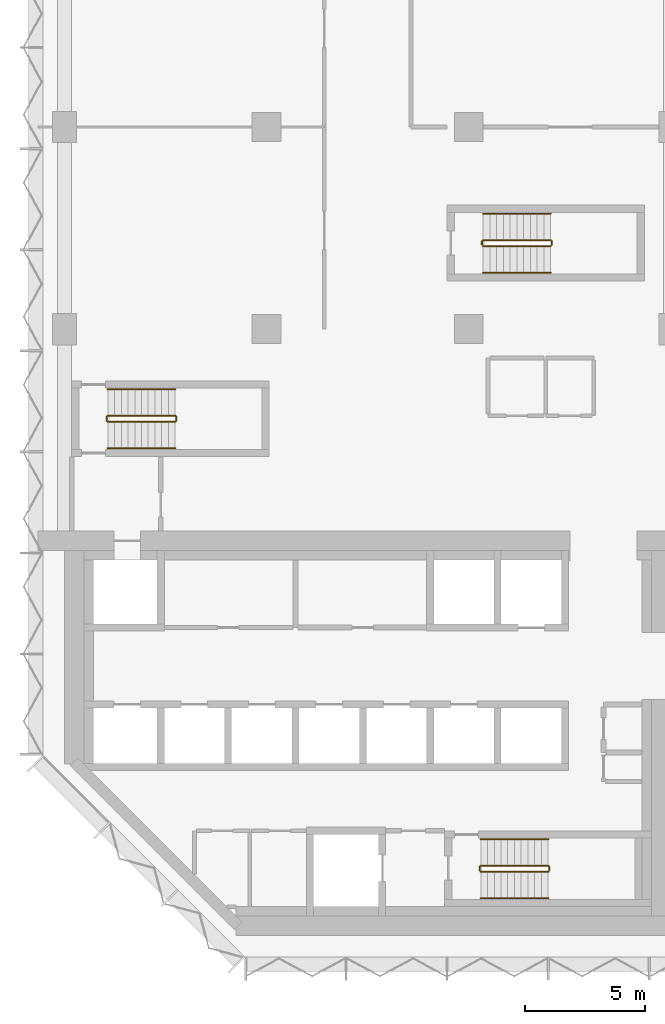
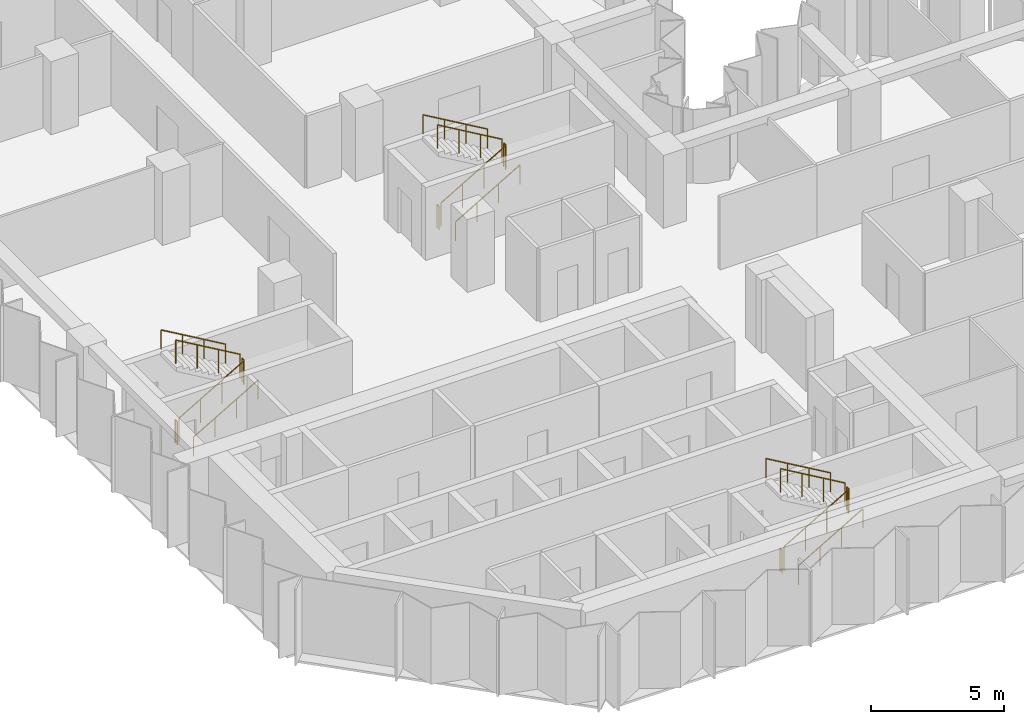
# One storey, part 12 of 13: 18 railings.
"""IFC4 building model written with IfcOpenShell, lengths in metres."""

from ifc_helpers import new_model, si_unit, direction, frame, origin, origin_2d, place, context, subcontext, project, spatial, circle, extrude, material, type_object, element, save


model = new_model("IFC4")

# Units and contexts
model_context = context("Model", 3, precision=1e-05, world=origin(), true_north=direction((0.0, 1.0)))
body_context = subcontext(model_context, "Body", "Model", "MODEL_VIEW")
ifc_project = project(units=[si_unit("LENGTHUNIT", "METRE"), si_unit("AREAUNIT", "SQUARE_METRE"), si_unit("VOLUMEUNIT", "CUBIC_METRE"), si_unit("PLANEANGLEUNIT", "RADIAN"), si_unit("MASSUNIT", "GRAM", prefix="KILO")], contexts=[model_context])

# Site, building, storey
site_placement = place(None, origin())
site = spatial("IfcSite", under=ifc_project, at=site_placement, CompositionType="ELEMENT")
building_placement = place(site_placement, origin())
building = spatial("IfcBuilding", under=site, at=building_placement, Name="Brevane Broadcast Tower", CompositionType="ELEMENT")
storey_placement = place(building_placement, frame((0.0, 0.0, 102.5)))
storey = spatial("IfcBuildingStorey", under=building, at=storey_placement, Name="L24", CompositionType="ELEMENT", Elevation=102.5)

# Railings
ifc_material = material(Name="Steel S355", Category="steel")
railing_type_1 = type_object("IfcRailingType", Name="Exit stair guard", PredefinedType="GUARDRAIL", material=ifc_material)
railing_1_placement = place(storey_placement, frame((1.800048828125, 21.35009765625, 0.16357421875)))
element("IfcRailing", 1, at=railing_1_placement, inside=storey, type_object=railing_type_1, Name="L24 ST-1 stair guard 1", PredefinedType="GUARDRAIL", context=body_context, shape_type="SweptSolid", body=[
    extrude(circle(Radius=0.02392578125, at=origin_2d()), frame((0.0, 0.0, 1.076171875), z_axis=(0.863360870873, 0.0, 0.504586966384), x_axis=(0.0, 1.0, 0.0)), (0.0, 0.0, 1.0), 3.2431640625),
    extrude(circle(Radius=0.02099609375, at=origin_2d()), origin(), (0.0, 0.0, 1.0), 1.052001953125),
    extrude(circle(Radius=0.02099609375, at=origin_2d()), frame((0.933349609375, 0.0, 0.54541015625)), (0.0, 0.0, 1.0), 1.052001953125),
    extrude(circle(Radius=0.02099609375, at=origin_2d()), frame((1.86669921875, 0.0, 1.091064453125)), (0.0, 0.0, 1.0), 1.052001953125),
    extrude(circle(Radius=0.02099609375, at=origin_2d()), frame((2.800048828125, 0.0, 1.636474609375)), (0.0, 0.0, 1.0), 1.052001953125),
])
railing_2_placement = place(storey_placement, frame((4.64990234375, 21.39990234375, 1.800048828125)))
element("IfcRailing", 2, at=railing_2_placement, inside=storey, type_object=railing_type_1, Name="L24 ST-1 stair guard 2", PredefinedType="GUARDRAIL", context=body_context, shape_type="SweptSolid", body=[
    extrude(circle(Radius=0.02392578125, at=origin_2d()), frame((0.0, 0.0, 1.076171875), z_axis=(0.0, 1.0, 0.0), x_axis=(-1.0, 0.0, 0.0)), (0.0, 0.0, 1.0), 0.150146484375),
    extrude(circle(Radius=0.02099609375, at=origin_2d()), origin(), (0.0, 0.0, 1.0), 1.052001953125),
    extrude(circle(Radius=0.02099609375, at=origin_2d()), frame((0.0, 0.150146484375, 0.0)), (0.0, 0.0, 1.0), 1.052001953125),
])
railing_3_placement = place(storey_placement, frame((4.60009765625, 21.60009765625, 1.963623046875)))
element("IfcRailing", 3, at=railing_3_placement, inside=storey, type_object=railing_type_1, Name="L24 ST-1 stair guard 3", PredefinedType="GUARDRAIL", context=body_context, shape_type="SweptSolid", body=[
    extrude(circle(Radius=0.02392578125, at=origin_2d()), frame((0.0, 0.0, 1.076171875), z_axis=(-0.863360870873, 0.0, 0.504586966384), x_axis=(0.0, -1.0, 0.0)), (0.0, 0.0, 1.0), 3.2431640625),
    extrude(circle(Radius=0.02099609375, at=origin_2d()), origin(), (0.0, 0.0, 1.0), 1.052001953125),
    extrude(circle(Radius=0.02099609375, at=origin_2d()), frame((-0.933349609375, 0.0, 0.54541015625)), (0.0, 0.0, 1.0), 1.052001953125),
    extrude(circle(Radius=0.02099609375, at=origin_2d()), frame((-1.86669921875, 0.0, 1.091064453125)), (0.0, 0.0, 1.0), 1.052001953125),
    extrude(circle(Radius=0.02099609375, at=origin_2d()), frame((-2.800048828125, 0.0, 1.636474609375)), (0.0, 0.0, 1.0), 1.052001953125),
])
railing_4_placement = place(storey_placement, frame((1.75, 21.39990234375, 0.0)))
element("IfcRailing", 4, at=railing_4_placement, inside=storey, type_object=railing_type_1, Name="L24 ST-1 stair guard 4", PredefinedType="GUARDRAIL", context=body_context, shape_type="SweptSolid", body=[
    extrude(circle(Radius=0.02392578125, at=origin_2d()), frame((0.0, 0.0, 1.076171875), z_axis=(0.0, 1.0, 0.0), x_axis=(-1.0, 0.0, 0.0)), (0.0, 0.0, 1.0), 0.150146484375),
    extrude(circle(Radius=0.02099609375, at=origin_2d()), origin(), (0.0, 0.0, 1.0), 1.052001953125),
    extrude(circle(Radius=0.02099609375, at=origin_2d()), frame((0.0, 0.150146484375, 0.0)), (0.0, 0.0, 1.0), 1.052001953125),
])
railing_5_placement = place(storey_placement, frame((17.300048828125, 2.64990234375, 0.16357421875)))
element("IfcRailing", 5, at=railing_5_placement, inside=storey, type_object=railing_type_1, Name="L24 ST-2 stair guard 1", PredefinedType="GUARDRAIL", context=body_context, shape_type="SweptSolid", body=[
    extrude(circle(Radius=0.02392578125, at=origin_2d()), frame((0.0, 0.0, 1.076171875), z_axis=(0.863360870873, 0.0, 0.504586966384), x_axis=(0.0, 1.0, 0.0)), (0.0, 0.0, 1.0), 3.2431640625),
    extrude(circle(Radius=0.02099609375, at=origin_2d()), origin(), (0.0, 0.0, 1.0), 1.052001953125),
    extrude(circle(Radius=0.02099609375, at=origin_2d()), frame((0.933349609375, 0.0, 0.54541015625)), (0.0, 0.0, 1.0), 1.052001953125),
    extrude(circle(Radius=0.02099609375, at=origin_2d()), frame((1.86669921875, 0.0, 1.091064453125)), (0.0, 0.0, 1.0), 1.052001953125),
    extrude(circle(Radius=0.02099609375, at=origin_2d()), frame((2.800048828125, 0.0, 1.636474609375)), (0.0, 0.0, 1.0), 1.052001953125),
])
railing_6_placement = place(storey_placement, frame((20.14990234375, 2.699951171875, 1.800048828125)))
element("IfcRailing", 6, at=railing_6_placement, inside=storey, type_object=railing_type_1, Name="L24 ST-2 stair guard 2", PredefinedType="GUARDRAIL", context=body_context, shape_type="SweptSolid", body=[
    extrude(circle(Radius=0.02392578125, at=origin_2d()), frame((0.0, 0.0, 1.076171875), z_axis=(0.0, 1.0, 0.0), x_axis=(-1.0, 0.0, 0.0)), (0.0, 0.0, 1.0), 0.150146484375),
    extrude(circle(Radius=0.02099609375, at=origin_2d()), origin(), (0.0, 0.0, 1.0), 1.052001953125),
    extrude(circle(Radius=0.02099609375, at=origin_2d()), frame((0.0, 0.150146484375, 0.0)), (0.0, 0.0, 1.0), 1.052001953125),
])
railing_7_placement = place(storey_placement, frame((20.10009765625, 2.89990234375, 1.963623046875)))
element("IfcRailing", 7, at=railing_7_placement, inside=storey, type_object=railing_type_1, Name="L24 ST-2 stair guard 3", PredefinedType="GUARDRAIL", context=body_context, shape_type="SweptSolid", body=[
    extrude(circle(Radius=0.02392578125, at=origin_2d()), frame((0.0, 0.0, 1.076171875), z_axis=(-0.863360870873, 0.0, 0.504586966384), x_axis=(0.0, -1.0, 0.0)), (0.0, 0.0, 1.0), 3.2431640625),
    extrude(circle(Radius=0.02099609375, at=origin_2d()), origin(), (0.0, 0.0, 1.0), 1.052001953125),
    extrude(circle(Radius=0.02099609375, at=origin_2d()), frame((-0.933349609375, 0.0, 0.54541015625)), (0.0, 0.0, 1.0), 1.052001953125),
    extrude(circle(Radius=0.02099609375, at=origin_2d()), frame((-1.86669921875, 0.0, 1.091064453125)), (0.0, 0.0, 1.0), 1.052001953125),
    extrude(circle(Radius=0.02099609375, at=origin_2d()), frame((-2.800048828125, 0.0, 1.636474609375)), (0.0, 0.0, 1.0), 1.052001953125),
])
railing_8_placement = place(storey_placement, frame((17.25, 2.699951171875, 0.0)))
element("IfcRailing", 8, at=railing_8_placement, inside=storey, type_object=railing_type_1, Name="L24 ST-2 stair guard 4", PredefinedType="GUARDRAIL", context=body_context, shape_type="SweptSolid", body=[
    extrude(circle(Radius=0.02392578125, at=origin_2d()), frame((0.0, 0.0, 1.076171875), z_axis=(0.0, 1.0, 0.0), x_axis=(-1.0, 0.0, 0.0)), (0.0, 0.0, 1.0), 0.150146484375),
    extrude(circle(Radius=0.02099609375, at=origin_2d()), origin(), (0.0, 0.0, 1.0), 1.052001953125),
    extrude(circle(Radius=0.02099609375, at=origin_2d()), frame((0.0, 0.150146484375, 0.0)), (0.0, 0.0, 1.0), 1.052001953125),
])
railing_9_placement = place(storey_placement, frame((17.39990234375, 28.64990234375, 0.16357421875)))
element("IfcRailing", 9, at=railing_9_placement, inside=storey, type_object=railing_type_1, Name="L24 ST-3 stair guard 1", PredefinedType="GUARDRAIL", context=body_context, shape_type="SweptSolid", body=[
    extrude(circle(Radius=0.02392578125, at=origin_2d()), frame((0.0, 0.0, 1.076171875), z_axis=(0.863360870873, 0.0, 0.504586966384), x_axis=(0.0, 1.0, 0.0)), (0.0, 0.0, 1.0), 3.2431640625),
    extrude(circle(Radius=0.02099609375, at=origin_2d()), origin(), (0.0, 0.0, 1.0), 1.052001953125),
    extrude(circle(Radius=0.02099609375, at=origin_2d()), frame((0.933349609375, 0.0, 0.54541015625)), (0.0, 0.0, 1.0), 1.052001953125),
    extrude(circle(Radius=0.02099609375, at=origin_2d()), frame((1.86669921875, 0.0, 1.091064453125)), (0.0, 0.0, 1.0), 1.052001953125),
    extrude(circle(Radius=0.02099609375, at=origin_2d()), frame((2.800048828125, 0.0, 1.636474609375)), (0.0, 0.0, 1.0), 1.052001953125),
])
railing_10_placement = place(storey_placement, frame((20.25, 28.699951171875, 1.800048828125)))
element("IfcRailing", 10, at=railing_10_placement, inside=storey, type_object=railing_type_1, Name="L24 ST-3 stair guard 2", PredefinedType="GUARDRAIL", context=body_context, shape_type="SweptSolid", body=[
    extrude(circle(Radius=0.02392578125, at=origin_2d()), frame((0.0, 0.0, 1.076171875), z_axis=(0.0, 1.0, 0.0), x_axis=(-1.0, 0.0, 0.0)), (0.0, 0.0, 1.0), 0.150146484375),
    extrude(circle(Radius=0.02099609375, at=origin_2d()), origin(), (0.0, 0.0, 1.0), 1.052001953125),
    extrude(circle(Radius=0.02099609375, at=origin_2d()), frame((0.0, 0.150146484375, 0.0)), (0.0, 0.0, 1.0), 1.052001953125),
])
railing_11_placement = place(storey_placement, frame((20.199951171875, 28.89990234375, 1.963623046875)))
element("IfcRailing", 11, at=railing_11_placement, inside=storey, type_object=railing_type_1, Name="L24 ST-3 stair guard 3", PredefinedType="GUARDRAIL", context=body_context, shape_type="SweptSolid", body=[
    extrude(circle(Radius=0.02392578125, at=origin_2d()), frame((0.0, 0.0, 1.076171875), z_axis=(-0.863360870873, 0.0, 0.504586966384), x_axis=(0.0, -1.0, 0.0)), (0.0, 0.0, 1.0), 3.2431640625),
    extrude(circle(Radius=0.02099609375, at=origin_2d()), origin(), (0.0, 0.0, 1.0), 1.052001953125),
    extrude(circle(Radius=0.02099609375, at=origin_2d()), frame((-0.933349609375, 0.0, 0.54541015625)), (0.0, 0.0, 1.0), 1.052001953125),
    extrude(circle(Radius=0.02099609375, at=origin_2d()), frame((-1.86669921875, 0.0, 1.091064453125)), (0.0, 0.0, 1.0), 1.052001953125),
    extrude(circle(Radius=0.02099609375, at=origin_2d()), frame((-2.800048828125, 0.0, 1.636474609375)), (0.0, 0.0, 1.0), 1.052001953125),
])
railing_12_placement = place(storey_placement, frame((17.35009765625, 28.699951171875, 0.0)))
element("IfcRailing", 12, at=railing_12_placement, inside=storey, type_object=railing_type_1, Name="L24 ST-3 stair guard 4", PredefinedType="GUARDRAIL", context=body_context, shape_type="SweptSolid", body=[
    extrude(circle(Radius=0.02392578125, at=origin_2d()), frame((0.0, 0.0, 1.076171875), z_axis=(0.0, 1.0, 0.0), x_axis=(-1.0, 0.0, 0.0)), (0.0, 0.0, 1.0), 0.150146484375),
    extrude(circle(Radius=0.02099609375, at=origin_2d()), origin(), (0.0, 0.0, 1.0), 1.052001953125),
    extrude(circle(Radius=0.02099609375, at=origin_2d()), frame((0.0, 0.150146484375, 0.0)), (0.0, 0.0, 1.0), 1.052001953125),
])
railing_type_2 = type_object("IfcRailingType", Name="Exit stair handrail", PredefinedType="HANDRAIL", material=ifc_material)
railing_13_placement = place(storey_placement, frame((1.800048828125, 20.25, 0.16357421875)))
element("IfcRailing", 13, at=railing_13_placement, inside=storey, type_object=railing_type_2, Name="L24 ST-1 stair handrail 1", PredefinedType="HANDRAIL", context=body_context, shape_type="SweptSolid", body=[
    extrude(circle(Radius=0.02392578125, at=origin_2d()), frame((0.0, 0.0, 0.8759765625), z_axis=(0.863360870873, 0.0, 0.504586966384), x_axis=(0.0, 1.0, 0.0)), (0.0, 0.0, 1.0), 3.2431640625),
    extrude(circle(Radius=0.02099609375, at=origin_2d()), origin(), (0.0, 0.0, 1.0), 0.851806640625),
    extrude(circle(Radius=0.02099609375, at=origin_2d()), frame((0.933349609375, 0.0, 0.54541015625)), (0.0, 0.0, 1.0), 0.851806640625),
    extrude(circle(Radius=0.02099609375, at=origin_2d()), frame((1.86669921875, 0.0, 1.091064453125)), (0.0, 0.0, 1.0), 0.851806640625),
    extrude(circle(Radius=0.02099609375, at=origin_2d()), frame((2.800048828125, 0.0, 1.636474609375)), (0.0, 0.0, 1.0), 0.851806640625),
])
railing_14_placement = place(storey_placement, frame((4.60009765625, 22.699951171875, 1.963623046875)))
element("IfcRailing", 14, at=railing_14_placement, inside=storey, type_object=railing_type_2, Name="L24 ST-1 stair handrail 2", PredefinedType="HANDRAIL", context=body_context, shape_type="SweptSolid", body=[
    extrude(circle(Radius=0.02392578125, at=origin_2d()), frame((0.0, 0.0, 0.8759765625), z_axis=(-0.863360870873, 0.0, 0.504586966384), x_axis=(0.0, -1.0, 0.0)), (0.0, 0.0, 1.0), 3.2431640625),
    extrude(circle(Radius=0.02099609375, at=origin_2d()), origin(), (0.0, 0.0, 1.0), 0.851806640625),
    extrude(circle(Radius=0.02099609375, at=origin_2d()), frame((-0.933349609375, 0.0, 0.54541015625)), (0.0, 0.0, 1.0), 0.851806640625),
    extrude(circle(Radius=0.02099609375, at=origin_2d()), frame((-1.86669921875, 0.0, 1.091064453125)), (0.0, 0.0, 1.0), 0.851806640625),
    extrude(circle(Radius=0.02099609375, at=origin_2d()), frame((-2.800048828125, 0.0, 1.636474609375)), (0.0, 0.0, 1.0), 0.851806640625),
])
railing_15_placement = place(storey_placement, frame((17.300048828125, 1.550048828125, 0.16357421875)))
element("IfcRailing", 15, at=railing_15_placement, inside=storey, type_object=railing_type_2, Name="L24 ST-2 stair handrail 1", PredefinedType="HANDRAIL", context=body_context, shape_type="SweptSolid", body=[
    extrude(circle(Radius=0.02392578125, at=origin_2d()), frame((0.0, 0.0, 0.8759765625), z_axis=(0.863360870873, 0.0, 0.504586966384), x_axis=(0.0, 1.0, 0.0)), (0.0, 0.0, 1.0), 3.2431640625),
    extrude(circle(Radius=0.02099609375, at=origin_2d()), origin(), (0.0, 0.0, 1.0), 0.851806640625),
    extrude(circle(Radius=0.02099609375, at=origin_2d()), frame((0.933349609375, 0.0, 0.54541015625)), (0.0, 0.0, 1.0), 0.851806640625),
    extrude(circle(Radius=0.02099609375, at=origin_2d()), frame((1.86669921875, 0.0, 1.091064453125)), (0.0, 0.0, 1.0), 0.851806640625),
    extrude(circle(Radius=0.02099609375, at=origin_2d()), frame((2.800048828125, 0.0, 1.636474609375)), (0.0, 0.0, 1.0), 0.851806640625),
])
railing_16_placement = place(storey_placement, frame((20.10009765625, 4.0, 1.963623046875)))
element("IfcRailing", 16, at=railing_16_placement, inside=storey, type_object=railing_type_2, Name="L24 ST-2 stair handrail 2", PredefinedType="HANDRAIL", context=body_context, shape_type="SweptSolid", body=[
    extrude(circle(Radius=0.02392578125, at=origin_2d()), frame((0.0, 0.0, 0.8759765625), z_axis=(-0.863360870873, 0.0, 0.504586966384), x_axis=(0.0, -1.0, 0.0)), (0.0, 0.0, 1.0), 3.2431640625),
    extrude(circle(Radius=0.02099609375, at=origin_2d()), origin(), (0.0, 0.0, 1.0), 0.851806640625),
    extrude(circle(Radius=0.02099609375, at=origin_2d()), frame((-0.933349609375, 0.0, 0.54541015625)), (0.0, 0.0, 1.0), 0.851806640625),
    extrude(circle(Radius=0.02099609375, at=origin_2d()), frame((-1.86669921875, 0.0, 1.091064453125)), (0.0, 0.0, 1.0), 0.851806640625),
    extrude(circle(Radius=0.02099609375, at=origin_2d()), frame((-2.800048828125, 0.0, 1.636474609375)), (0.0, 0.0, 1.0), 0.851806640625),
])
railing_17_placement = place(storey_placement, frame((17.39990234375, 27.550048828125, 0.16357421875)))
element("IfcRailing", 17, at=railing_17_placement, inside=storey, type_object=railing_type_2, Name="L24 ST-3 stair handrail 1", PredefinedType="HANDRAIL", context=body_context, shape_type="SweptSolid", body=[
    extrude(circle(Radius=0.02392578125, at=origin_2d()), frame((0.0, 0.0, 0.8759765625), z_axis=(0.863360870873, 0.0, 0.504586966384), x_axis=(0.0, 1.0, 0.0)), (0.0, 0.0, 1.0), 3.2431640625),
    extrude(circle(Radius=0.02099609375, at=origin_2d()), origin(), (0.0, 0.0, 1.0), 0.851806640625),
    extrude(circle(Radius=0.02099609375, at=origin_2d()), frame((0.933349609375, 0.0, 0.54541015625)), (0.0, 0.0, 1.0), 0.851806640625),
    extrude(circle(Radius=0.02099609375, at=origin_2d()), frame((1.86669921875, 0.0, 1.091064453125)), (0.0, 0.0, 1.0), 0.851806640625),
    extrude(circle(Radius=0.02099609375, at=origin_2d()), frame((2.800048828125, 0.0, 1.636474609375)), (0.0, 0.0, 1.0), 0.851806640625),
])
railing_18_placement = place(storey_placement, frame((20.199951171875, 30.0, 1.963623046875)))
element("IfcRailing", 18, at=railing_18_placement, inside=storey, type_object=railing_type_2, Name="L24 ST-3 stair handrail 2", PredefinedType="HANDRAIL", context=body_context, shape_type="SweptSolid", body=[
    extrude(circle(Radius=0.02392578125, at=origin_2d()), frame((0.0, 0.0, 0.8759765625), z_axis=(-0.863360870873, 0.0, 0.504586966384), x_axis=(0.0, -1.0, 0.0)), (0.0, 0.0, 1.0), 3.2431640625),
    extrude(circle(Radius=0.02099609375, at=origin_2d()), origin(), (0.0, 0.0, 1.0), 0.851806640625),
    extrude(circle(Radius=0.02099609375, at=origin_2d()), frame((-0.933349609375, 0.0, 0.54541015625)), (0.0, 0.0, 1.0), 0.851806640625),
    extrude(circle(Radius=0.02099609375, at=origin_2d()), frame((-1.86669921875, 0.0, 1.091064453125)), (0.0, 0.0, 1.0), 0.851806640625),
    extrude(circle(Radius=0.02099609375, at=origin_2d()), frame((-2.800048828125, 0.0, 1.636474609375)), (0.0, 0.0, 1.0), 0.851806640625),
])

save(model, "model.ifc")
